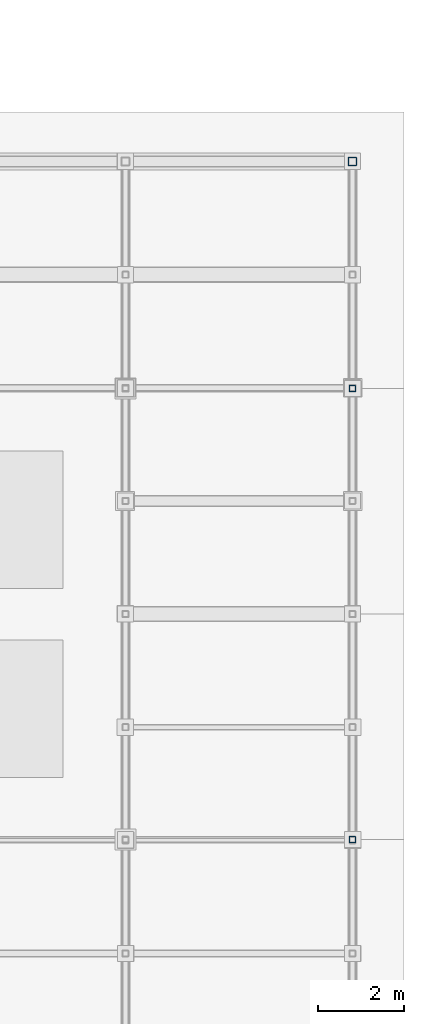
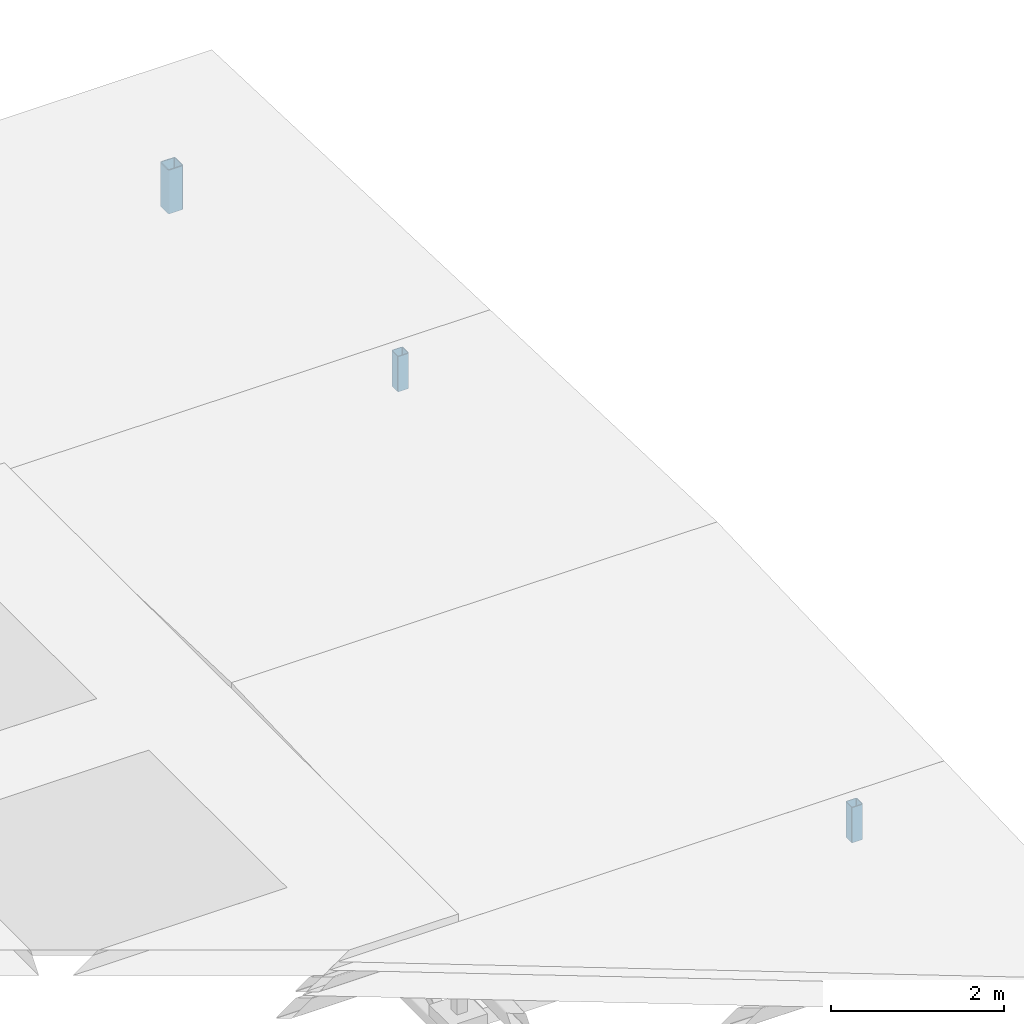
# One storey, part 19 of 25: 3 members.
"""IFC4 building model written with IfcOpenShell, lengths in metres."""

from ifc_helpers import new_model, si_unit, direction, frame, origin, origin_2d, place, context, subcontext, project, spatial, hollow_rectangle, extrude, material, material_profile, profile_set, type_object, element, save


model = new_model("IFC4")

# Units and contexts
model_context = context("Model", 3, precision=1e-05, world=origin(), true_north=direction((0.0, 1.0)))
body_context = subcontext(model_context, "Body", "Model", "MODEL_VIEW")
ifc_project = project(units=[si_unit("LENGTHUNIT", "METRE"), si_unit("AREAUNIT", "SQUARE_METRE"), si_unit("VOLUMEUNIT", "CUBIC_METRE"), si_unit("PLANEANGLEUNIT", "RADIAN"), si_unit("MASSUNIT", "GRAM", prefix="KILO"), si_unit("THERMODYNAMICTEMPERATUREUNIT", "KELVIN"), si_unit("POWERUNIT", "WATT")], contexts=[model_context])

# Site, building, storey
site_placement = place(None, origin())
site = spatial("IfcSite", under=ifc_project, at=site_placement, CompositionType="ELEMENT")
building_placement = place(site_placement, origin())
building = spatial("IfcBuilding", under=site, at=building_placement, Name="Zelmaris Science Centre", CompositionType="ELEMENT")
storey_placement = place(building_placement, frame((0.0, 0.0, 30.0)))
storey = spatial("IfcBuildingStorey", under=building, at=storey_placement, Name="RF", CompositionType="ELEMENT", Elevation=30.0)

# Members
ifc_material = material(Name="Steel ASTM A500 Grade C", Category="steel")
ifc_material_profile_1 = material_profile(ifc_material, hollow_rectangle(XDim=0.203125, YDim=0.203125, WallThickness=0.01171875, InnerFilletRadius=0.01171875, OuterFilletRadius=0.023681640625, at=origin_2d()), Name="HSS203X203X13")
ifc_profile_set_1 = profile_set([ifc_material_profile_1], Name="Steel ASTM A500 Grade C")
member_type_1 = type_object("IfcMemberType", Name="Structural Brace BR-02 HSS203X203X13", PredefinedType="BRACE", material=ifc_profile_set_1)
member_placement = place(storey_placement, frame((91.535888671875, 46.535888671875, 0.72998046875), z_axis=(0.0, 0.0, 1.0), x_axis=(1.0, 0.0, 0.0)))
element("IfcMember", 1, at=member_placement, inside=storey, type_object=member_type_1, Name="RF-V2 Roof truss 4 end post VN", PredefinedType="BRACE", context=body_context, shape_type="SweptSolid", body=[
    extrude(hollow_rectangle(XDim=0.203125, YDim=0.203125, WallThickness=0.01171875, InnerFilletRadius=0.01171875, OuterFilletRadius=0.023681640625, at=origin_2d()), origin(), (0.0, 0.0, 1.0), 0.6181640625),
])
ifc_material_profile_2 = material_profile(ifc_material, hollow_rectangle(XDim=0.15234375, YDim=0.15234375, WallThickness=0.0087890625, InnerFilletRadius=0.0087890625, OuterFilletRadius=0.017822265625, at=origin_2d()), Name="HSS152X152X10")
ifc_profile_set_2 = profile_set([ifc_material_profile_2], Name="Steel ASTM A500 Grade C")
member_type_2 = type_object("IfcMemberType", Name="Structural Brace BR-03 HSS152X152X10", PredefinedType="BRACE", material=ifc_profile_set_2)
for number, where, z_axis, x_axis, name in (
    (2, (91.535888671875, 30.75, 1.400390625), (0.0, 0.0, 1.0), (1.0, 0.0, 0.0), "RF-V2 Lantern curb post S 92"),
    (3, (91.535888671875, 41.25, 1.400390625), (0.0, 0.0, 1.0), (1.0, 0.0, 0.0), "RF-V2 Lantern curb post N 92"),
):
    element("IfcMember", number, at=place(storey_placement, frame(where, z_axis=z_axis, x_axis=x_axis)), inside=storey, type_object=member_type_2, Name=name, PredefinedType="BRACE", context=body_context, shape_type="SweptSolid", body=[
        extrude(hollow_rectangle(XDim=0.15234375, YDim=0.15234375, WallThickness=0.0087890625, InnerFilletRadius=0.0087890625, OuterFilletRadius=0.017822265625, at=origin_2d()), origin(), (0.0, 0.0, 1.0), 0.49951171875),
    ])

save(model, "model.ifc")
